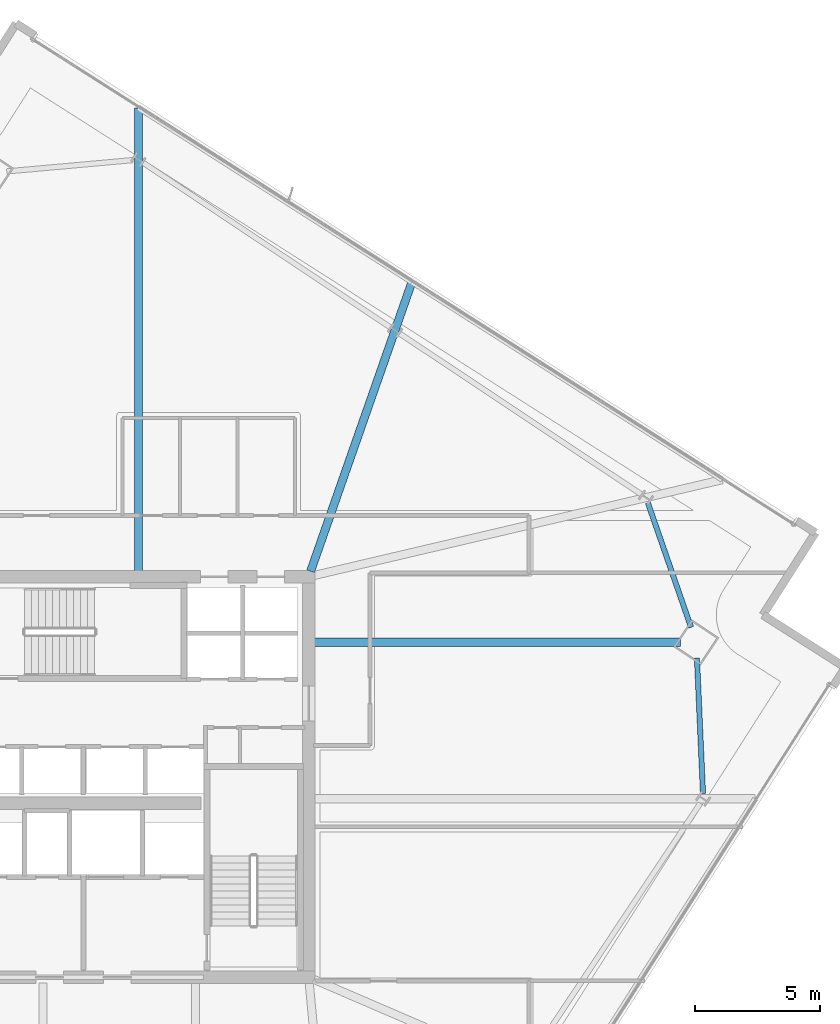
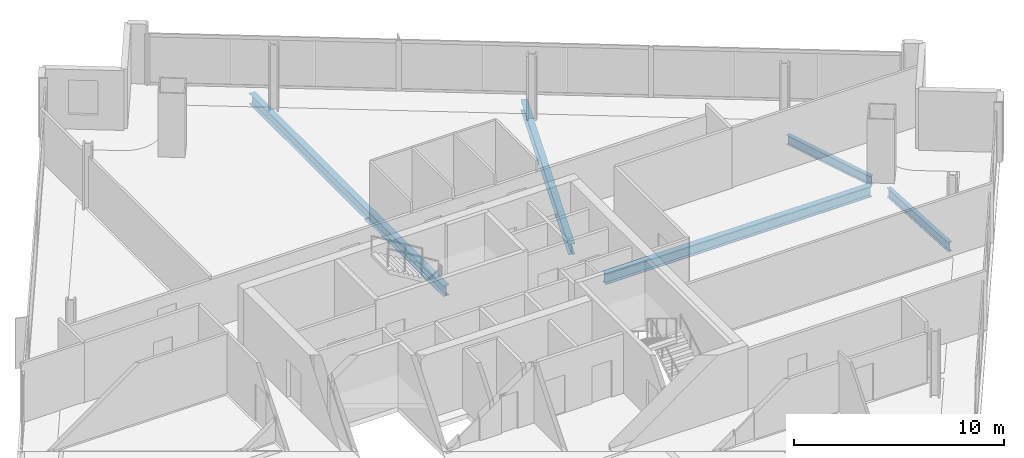
# One storey, part 16 of 30: 5 beams.
"""IFC4 building model written with IfcOpenShell, lengths in metres."""

from ifc_helpers import new_model, si_unit, direction, frame, origin, origin_2d, place, context, subcontext, project, spatial, i_section, extrude, material, material_profile, profile_set, type_object, element, save


model = new_model("IFC4")

# Units and contexts
model_context = context("Model", 3, precision=1e-05, world=origin(), true_north=direction((0.0, 1.0)))
body_context = subcontext(model_context, "Body", "Model", "MODEL_VIEW")
ifc_project = project(units=[si_unit("LENGTHUNIT", "METRE"), si_unit("AREAUNIT", "SQUARE_METRE"), si_unit("VOLUMEUNIT", "CUBIC_METRE"), si_unit("PLANEANGLEUNIT", "RADIAN"), si_unit("MASSUNIT", "GRAM", prefix="KILO")], contexts=[model_context])

# Site, building, storey
site_placement = place(None, origin())
site = spatial("IfcSite", under=ifc_project, at=site_placement, CompositionType="ELEMENT")
building_placement = place(site_placement, origin())
building = spatial("IfcBuilding", under=site, at=building_placement, Name="Haldenkirk Collegiate Tower", CompositionType="ELEMENT")
storey_placement = place(building_placement, frame((0.0, 0.0, 220.949951171875)))
storey = spatial("IfcBuildingStorey", under=building, at=storey_placement, Name="L55", CompositionType="ELEMENT", Elevation=220.949951171875)

# Beams
ifc_material = material(Name="Steel ASTM A992 Grade 50", Category="steel")
ifc_material_profile_1 = material_profile(ifc_material, i_section(OverallWidth=0.324951171875, OverallDepth=0.615966796875, WebThickness=0.013916015625, FlangeThickness=0.021484375, at=origin_2d()), Name="W24X117")
ifc_profile_set_1 = profile_set([ifc_material_profile_1], Name="Steel ASTM A992 Grade 50")
beam_type_1 = type_object("IfcBeamType", Name="BM-GIRDER-W24X117", PredefinedType="BEAM", material=ifc_profile_set_1)
beam_1_placement = place(storey_placement, frame((59.856201171875, 31.3837890625, -0.587890625), z_axis=(-1.0, 0.0, 0.0), x_axis=(0.0, -1.0, 0.0)))
element("IfcBeam", 1, at=beam_1_placement, inside=storey, type_object=beam_type_1, Name="L55 primary floor girder 02", PredefinedType="BEAM", context=body_context, shape_type="SweptSolid", body=[
    extrude(i_section(OverallWidth=0.324951171875, OverallDepth=0.615966796875, WebThickness=0.013916015625, FlangeThickness=0.021484375, at=origin_2d()), origin(), (0.0, 0.0, 1.0), 14.626220703125),
])
beam_2_placement = place(storey_placement, frame((49.12451171875, 45.775146484375, -0.587890625), z_axis=(-0.330586618499, -0.94377565537, 0.0), x_axis=(0.94377565537, -0.330586618499, 0.0)))
element("IfcBeam", 2, at=beam_2_placement, inside=storey, type_object=beam_type_1, Name="L55 primary floor girder 09", PredefinedType="BEAM", context=body_context, shape_type="SweptSolid", body=[
    extrude(i_section(OverallWidth=0.324951171875, OverallDepth=0.615966796875, WebThickness=0.013916015625, FlangeThickness=0.021484375, at=origin_2d()), origin(), (0.0, 0.0, 1.0), 12.24658203125),
])
beam_3_placement = place(storey_placement, frame((38.192626953125, 52.739501953125, -0.587890625), z_axis=(0.0, -1.0, 0.0), x_axis=(1.0, 0.0, 0.0)))
element("IfcBeam", 3, at=beam_3_placement, inside=storey, type_object=beam_type_1, Name="L55 primary floor girder 10", PredefinedType="BEAM", context=body_context, shape_type="SweptSolid", body=[
    extrude(i_section(OverallWidth=0.324951171875, OverallDepth=0.615966796875, WebThickness=0.013916015625, FlangeThickness=0.021484375, at=origin_2d()), origin(), (0.0, 0.0, 1.0), 18.509521484375),
])
ifc_material_profile_2 = material_profile(ifc_material, i_section(OverallWidth=0.2099609375, OverallDepth=0.537109375, WebThickness=0.010986328125, FlangeThickness=0.017333984375, at=origin_2d()), Name="W21X68")
ifc_profile_set_2 = profile_set([ifc_material_profile_2], Name="Steel ASTM A992 Grade 50")
beam_type_2 = type_object("IfcBeamType", Name="BM-SPANDREL-W21X68", PredefinedType="SPANDREL", material=ifc_profile_set_2)
beam_4_placement = place(storey_placement, frame((60.756103515625, 25.34326171875, -0.54833984375), z_axis=(-0.044622535616, 0.999003918569, 0.0), x_axis=(-0.999003918569, -0.044622535616, 0.0)))
element("IfcBeam", 4, at=beam_4_placement, inside=storey, type_object=beam_type_2, Name="L55 perimeter spandrel beam 04", PredefinedType="SPANDREL", context=body_context, shape_type="SweptSolid", body=[
    extrude(i_section(OverallWidth=0.2099609375, OverallDepth=0.537109375, WebThickness=0.010986328125, FlangeThickness=0.017333984375, at=origin_2d()), origin(), (0.0, 0.0, 1.0), 5.41650390625),
])
beam_5_placement = place(storey_placement, frame((60.27978515625, 31.97900390625, -0.54833984375), z_axis=(-0.327807295579, 0.944744609387, 0.0), x_axis=(-0.944744609387, -0.327807295579, 0.0)))
element("IfcBeam", 5, at=beam_5_placement, inside=storey, type_object=beam_type_2, Name="L55 perimeter spandrel beam 05", PredefinedType="SPANDREL", context=body_context, shape_type="SweptSolid", body=[
    extrude(i_section(OverallWidth=0.2099609375, OverallDepth=0.537109375, WebThickness=0.010986328125, FlangeThickness=0.017333984375, at=origin_2d()), origin(), (0.0, 0.0, 1.0), 5.270751953125),
])

save(model, "model.ifc")
